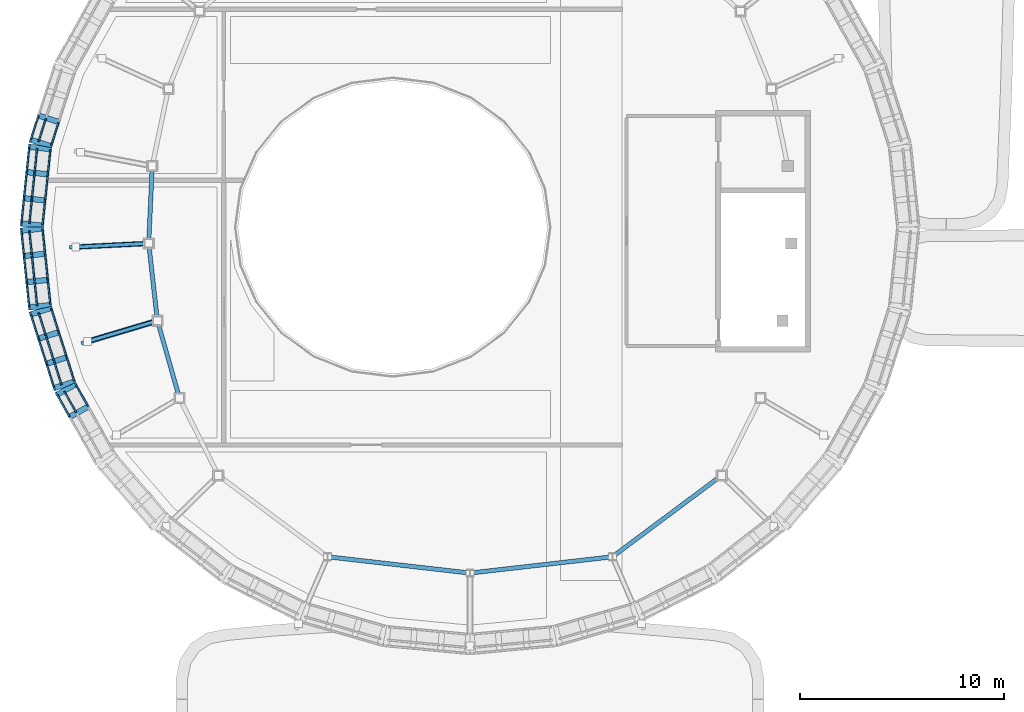
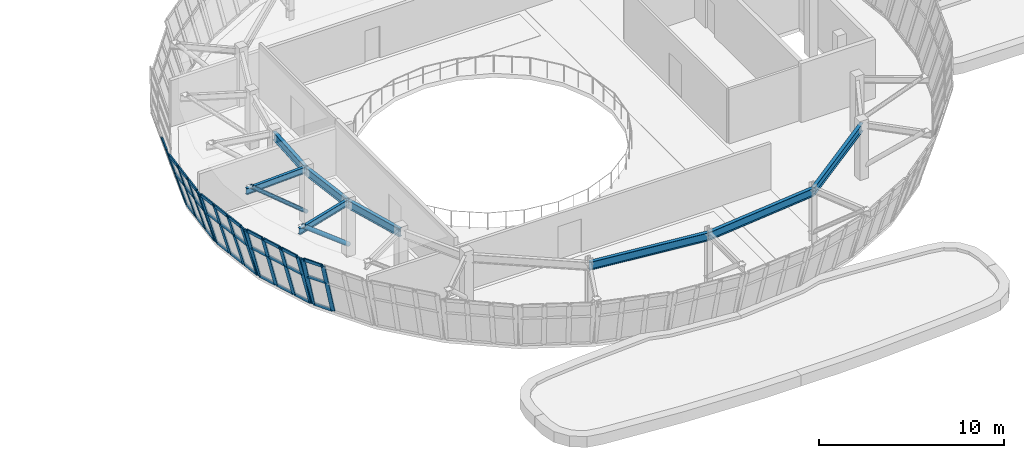
# One storey, part 20 of 111: 51 members, 8 beams, 5 elements without a shape of their own.
"""IFC4 building model written with IfcOpenShell, lengths in metres."""

from ifc_helpers import new_model, si_unit, direction, frame, origin, origin_2d, place, context, subcontext, project, spatial, rectangle, hollow_circle, i_section, extrude, material, material_profile, profile_set, type_object, element, aggregate, save


model = new_model("IFC4")

# Units and contexts
model_context = context("Model", 3, precision=1e-05, world=origin(), true_north=direction((0.0, 1.0)))
body_context = subcontext(model_context, "Body", "Model", "MODEL_VIEW")
ifc_project = project(units=[si_unit("LENGTHUNIT", "METRE"), si_unit("AREAUNIT", "SQUARE_METRE"), si_unit("VOLUMEUNIT", "CUBIC_METRE"), si_unit("PLANEANGLEUNIT", "RADIAN"), si_unit("MASSUNIT", "GRAM", prefix="KILO")], contexts=[model_context])

# Site, building, storey
site_placement = place(None, origin())
site = spatial("IfcSite", under=ifc_project, at=site_placement, CompositionType="ELEMENT")
building_placement = place(site_placement, origin())
building = spatial("IfcBuilding", under=site, at=building_placement, Name="Corveleigh Park Community Centre", CompositionType="ELEMENT")
storey_placement = place(building_placement, frame((0.0, 0.0, 4.800048828125)))
storey = spatial("IfcBuildingStorey", under=building, at=storey_placement, Name="L01", CompositionType="ELEMENT", Elevation=4.800048828125)

# Beams
ifc_material_1 = material(Name="Steel S355", Category="steel")
ifc_material_profile_1 = material_profile(ifc_material_1, i_section(OverallWidth=0.1787109375, OverallDepth=0.409423828125, WebThickness=0.0087890625, FlangeThickness=0.014404296875, at=origin_2d()), Name="UKB 406x178x67", Category="steel")
ifc_profile_set_1 = profile_set([ifc_material_profile_1], Name="Steel S355")
beam_type_1 = type_object("IfcBeamType", Name="BM-STL-UKB406x67", PredefinedType="BEAM", material=ifc_profile_set_1)
for number, where, z_axis, x_axis, name in (
    (1, (15.202880859375, 26.799560546875, 3.482177734375), (-0.998735377048, -0.050275706198, 0.0), (0.050275706198, -0.998735377048, 0.0), "V1 Drum Overhang Radial Outrigger 17"),
    (2, (15.63134765625, 22.9970703125, 3.482177734375), (-0.958258802998, -0.285902197397, 0.0), (0.285902197397, -0.958258802998, 0.0), "V1 Drum Overhang Radial Outrigger 18"),
):
    element("IfcBeam", number, at=place(storey_placement, frame(where, z_axis=z_axis, x_axis=x_axis)), inside=storey, type_object=beam_type_1, Name=name, PredefinedType="BEAM", context=body_context, shape_type="SweptSolid", body=[
        extrude(i_section(OverallWidth=0.1787109375, OverallDepth=0.409423828125, WebThickness=0.0087890625, FlangeThickness=0.014404296875, at=origin_2d()), origin(), (0.0, 0.0, 1.0), 3.8896484375),
    ])
ifc_material_profile_2 = material_profile(ifc_material_1, i_section(OverallWidth=0.210693359375, OverallDepth=0.53955078125, WebThickness=0.01171875, FlangeThickness=0.018798828125, at=origin_2d()), Name="UKB 533x210x109", Category="steel")
ifc_profile_set_2 = profile_set([ifc_material_profile_2], Name="Steel S355")
beam_type_2 = type_object("IfcBeamType", Name="BM-STL-UKB533x109", PredefinedType="BEAM", material=ifc_profile_set_2)
for number, where, z_axis, x_axis, name in (
    (3, (24.0048828125, 11.3994140625, 3.34228515625), (0.993533567391, -0.113538761962, 0.0), (0.113538761962, 0.993533567391, 0.0), "V1 Drum Ring Girder"),
    (4, (31.0048828125, 10.6005859375, 3.34228515625), (0.993533567391, 0.113538761962, 0.0), (-0.113538761962, 0.993533567391, 0.0), "V1 Drum Ring Girder"),
):
    element("IfcBeam", number, at=place(storey_placement, frame(where, z_axis=z_axis, x_axis=x_axis)), inside=storey, type_object=beam_type_2, Name=name, PredefinedType="BEAM", context=body_context, shape_type="SweptSolid", body=[
        extrude(i_section(OverallWidth=0.210693359375, OverallDepth=0.53955078125, WebThickness=0.01171875, FlangeThickness=0.018798828125, at=origin_2d()), origin(), (0.0, 0.0, 1.0), 7.03564453125),
    ])
beam_1_placement = place(storey_placement, frame((38.00390625, 11.403076171875, 3.34228515625), z_axis=(0.801771961873, 0.597630087223, 0.0), x_axis=(-0.597630087223, 0.801771961873, 0.0)))
element("IfcBeam", 5, at=beam_1_placement, inside=storey, type_object=beam_type_2, Name="V1 Drum Ring Girder", PredefinedType="BEAM", context=body_context, shape_type="SweptSolid", body=[
    extrude(i_section(OverallWidth=0.210693359375, OverallDepth=0.53955078125, WebThickness=0.01171875, FlangeThickness=0.018798828125, at=origin_2d()), origin(), (0.0, 0.0, 1.0), 6.682861328125),
])
beam_2_placement = place(storey_placement, frame((15.3857421875, 30.594970703125, 3.34228515625), z_axis=(-0.045495229392, -0.998964555979, 0.0), x_axis=(0.998964555979, -0.045495229392, 0.0)))
element("IfcBeam", 6, at=beam_2_placement, inside=storey, type_object=beam_type_2, Name="V1 Drum Ring Girder", PredefinedType="BEAM", context=body_context, shape_type="SweptSolid", body=[
    extrude(i_section(OverallWidth=0.210693359375, OverallDepth=0.53955078125, WebThickness=0.01171875, FlangeThickness=0.018798828125, at=origin_2d()), origin(), (0.0, 0.0, 1.0), 3.7939453125),
])
beam_3_placement = place(storey_placement, frame((15.213623046875, 26.794921875, 3.34228515625), z_axis=(0.111892750886, -0.993720288763, 0.0), x_axis=(0.993720288763, 0.111892750886, 0.0)))
element("IfcBeam", 7, at=beam_3_placement, inside=storey, type_object=beam_type_2, Name="V1 Drum Ring Girder", PredefinedType="BEAM", context=body_context, shape_type="SweptSolid", body=[
    extrude(i_section(OverallWidth=0.210693359375, OverallDepth=0.53955078125, WebThickness=0.01171875, FlangeThickness=0.018798828125, at=origin_2d()), origin(), (0.0, 0.0, 1.0), 3.81396484375),
])
beam_4_placement = place(storey_placement, frame((15.642333984375, 22.9951171875, 3.34228515625), z_axis=(0.274336604371, -0.961633728351, 0.0), x_axis=(0.961633728351, 0.274336604371, 0.0)))
element("IfcBeam", 8, at=beam_4_placement, inside=storey, type_object=beam_type_2, Name="V1 Drum Ring Girder", PredefinedType="BEAM", context=body_context, shape_type="SweptSolid", body=[
    extrude(i_section(OverallWidth=0.210693359375, OverallDepth=0.53955078125, WebThickness=0.01171875, FlangeThickness=0.018798828125, at=origin_2d()), origin(), (0.0, 0.0, 1.0), 3.94140625),
])

# Curtain wall, members
ifc_material_2 = material(Name="Anodised aluminium 6063-T6", Category="aluminium")
curtain_wall_type = type_object("IfcCurtainWallType", Name="CW-SYS-V1-DRUM", PredefinedType="NOTDEFINED", material=ifc_material_2)
curtain_wall_1_placement = place(storey_placement, origin())
curtain_wall_1 = element("IfcCurtainWall", 9, at=curtain_wall_1_placement, inside=storey, type_object=curtain_wall_type, Name="Main Hall Flared Drum CW 176", PredefinedType="NOTDEFINED")
ifc_material_profile_3 = material_profile(ifc_material_2, rectangle(XDim=0.0849609375, YDim=0.27490234375, at=origin_2d()), Name="ALU-M85x275", Category="aluminium")
ifc_profile_set_3 = profile_set([ifc_material_profile_3], Name="Anodised aluminium 6063-T6")
member_type_1 = type_object("IfcMemberType", Name="CWM-85x275", PredefinedType="MULLION", material=ifc_profile_set_3)
member_1_placement = place(storey_placement, frame((10.804931640625, 32.76171875, 0.0), z_axis=(-0.270633081512, 0.086193007282, 0.958816197551), x_axis=(0.913600188234, -0.290969408609, 0.284027286212)))
member_1 = element("IfcMember", 10, at=member_1_placement, type_object=member_type_1, Name="CW02 mullion 3", PredefinedType="MULLION", context=body_context, shape_type="SweptSolid", body=[
    extrude(rectangle(XDim=0.0849609375, YDim=0.27490234375, at=origin_2d()), origin(), (0.0, 0.0, 1.0), 3.76708984375),
])
member_2_placement = place(storey_placement, frame((10.4248046875, 31.568603515625, 0.0), z_axis=(-0.270633081512, 0.086193007282, 0.958816197551), x_axis=(0.913600188234, -0.290969408609, 0.284027286212)))
member_2 = element("IfcMember", 11, at=member_2_placement, type_object=member_type_1, Name="CW02 mullion 4", PredefinedType="MULLION", context=body_context, shape_type="SweptSolid", body=[
    extrude(rectangle(XDim=0.0849609375, YDim=0.27490234375, at=origin_2d()), origin(), (0.0, 0.0, 1.0), 3.76708984375),
])

curtain_wall_2_placement = place(storey_placement, origin())
curtain_wall_2 = element("IfcCurtainWall", 12, at=curtain_wall_2_placement, inside=storey, type_object=curtain_wall_type, Name="Main Hall Flared Drum CW 177", PredefinedType="NOTDEFINED")
member_3_placement = place(storey_placement, frame((10.396728515625, 31.4326171875, 0.0), z_axis=(-0.282554486716, 0.029227539796, 0.958805878661), x_axis=(0.953717111379, -0.098652847989, 0.284062118287)))
member_3 = element("IfcMember", 13, at=member_3_placement, type_object=member_type_1, Name="CW02 mullion 1", PredefinedType="MULLION", context=body_context, shape_type="SweptSolid", body=[
    extrude(rectangle(XDim=0.0849609375, YDim=0.27490234375, at=origin_2d()), origin(), (0.0, 0.0, 1.0), 3.767333984375),
])
member_4_placement = place(storey_placement, frame((10.268310546875, 30.1923828125, 0.0), z_axis=(-0.282494852928, 0.029228074942, 0.958823434061), x_axis=(0.953732257029, -0.098677047011, 0.28400285614)))
member_4 = element("IfcMember", 14, at=member_4_placement, type_object=member_type_1, Name="CW02 mullion 2", PredefinedType="MULLION", context=body_context, shape_type="SweptSolid", body=[
    extrude(rectangle(XDim=0.0849609375, YDim=0.27490234375, at=origin_2d()), origin(), (0.0, 0.0, 1.0), 3.76708984375),
])
member_5_placement = place(storey_placement, frame((10.1357421875, 28.90966796875, 0.0), z_axis=(-0.282554486716, 0.029227539796, 0.958805878661), x_axis=(0.953717111379, -0.098652847989, 0.284062118287)))
member_5 = element("IfcMember", 15, at=member_5_placement, type_object=member_type_1, Name="CW02 mullion 3", PredefinedType="MULLION", context=body_context, shape_type="SweptSolid", body=[
    extrude(rectangle(XDim=0.0849609375, YDim=0.27490234375, at=origin_2d()), origin(), (0.0, 0.0, 1.0), 3.767333984375),
])
member_6_placement = place(storey_placement, frame((10.00732421875, 27.669189453125, 0.0), z_axis=(-0.282494852928, 0.029228074942, 0.958823434061), x_axis=(0.953732257029, -0.098677047011, 0.28400285614)))
member_6 = element("IfcMember", 16, at=member_6_placement, type_object=member_type_1, Name="CW02 mullion 4", PredefinedType="MULLION", context=body_context, shape_type="SweptSolid", body=[
    extrude(rectangle(XDim=0.0849609375, YDim=0.27490234375, at=origin_2d()), origin(), (0.0, 0.0, 1.0), 3.76708984375),
])

curtain_wall_3_placement = place(storey_placement, origin())
curtain_wall_3 = element("IfcCurtainWall", 17, at=curtain_wall_3_placement, inside=storey, type_object=curtain_wall_type, Name="Main Hall Flared Drum CW 178", PredefinedType="NOTDEFINED")
member_7_placement = place(storey_placement, frame((10.00732421875, 27.53076171875, 0.0), z_axis=(-0.282494852928, -0.029228074942, 0.958823434061), x_axis=(0.953732257029, 0.098677047011, 0.28400285614)))
member_7 = element("IfcMember", 18, at=member_7_placement, type_object=member_type_1, Name="CW02 mullion 1", PredefinedType="MULLION", context=body_context, shape_type="SweptSolid", body=[
    extrude(rectangle(XDim=0.0849609375, YDim=0.27490234375, at=origin_2d()), origin(), (0.0, 0.0, 1.0), 3.76708984375),
])
member_8_placement = place(storey_placement, frame((10.1357421875, 26.290283203125, 0.0), z_axis=(-0.282554486716, -0.029227539796, 0.958805878661), x_axis=(0.953717111379, 0.098652847989, 0.284062118287)))
member_8 = element("IfcMember", 19, at=member_8_placement, type_object=member_type_1, Name="CW02 mullion 2", PredefinedType="MULLION", context=body_context, shape_type="SweptSolid", body=[
    extrude(rectangle(XDim=0.0849609375, YDim=0.27490234375, at=origin_2d()), origin(), (0.0, 0.0, 1.0), 3.767333984375),
])
member_9_placement = place(storey_placement, frame((10.268310546875, 25.007568359375, 0.0), z_axis=(-0.282495387436, -0.02916332286, 0.958825248248), x_axis=(0.953756435359, 0.09846074694, 0.283996731183)))
member_9 = element("IfcMember", 20, at=member_9_placement, type_object=member_type_1, Name="CW02 mullion 3", PredefinedType="MULLION", context=body_context, shape_type="SweptSolid", body=[
    extrude(rectangle(XDim=0.0849609375, YDim=0.27490234375, at=origin_2d()), origin(), (0.0, 0.0, 1.0), 3.76708984375),
])
member_10_placement = place(storey_placement, frame((10.396728515625, 23.767333984375, 0.0), z_axis=(-0.282554486716, -0.029227539796, 0.958805878661), x_axis=(0.953717111379, 0.098652847989, 0.284062118287)))
member_10 = element("IfcMember", 21, at=member_10_placement, type_object=member_type_1, Name="CW02 mullion 4", PredefinedType="MULLION", context=body_context, shape_type="SweptSolid", body=[
    extrude(rectangle(XDim=0.0849609375, YDim=0.27490234375, at=origin_2d()), origin(), (0.0, 0.0, 1.0), 3.767333984375),
])

curtain_wall_4_placement = place(storey_placement, origin())
curtain_wall_4 = element("IfcCurtainWall", 22, at=curtain_wall_4_placement, inside=storey, type_object=curtain_wall_type, Name="Main Hall Flared Drum CW 179", PredefinedType="NOTDEFINED")
member_11_placement = place(storey_placement, frame((10.4248046875, 23.631591796875, 0.0), z_axis=(-0.27063156923, -0.086257332051, 0.95881083974), x_axis=(0.913531806337, 0.291166387508, 0.284045372426)))
member_11 = element("IfcMember", 23, at=member_11_placement, type_object=member_type_1, Name="CW02 mullion 1", PredefinedType="MULLION", context=body_context, shape_type="SweptSolid", body=[
    extrude(rectangle(XDim=0.0849609375, YDim=0.27490234375, at=origin_2d()), origin(), (0.0, 0.0, 1.0), 3.767333984375),
])
member_12_placement = place(storey_placement, frame((10.804931640625, 22.438232421875, 0.0), z_axis=(-0.270633081512, -0.086193007282, 0.958816197551), x_axis=(0.913600188234, 0.290969408609, 0.284027286212)))
member_12 = element("IfcMember", 24, at=member_12_placement, type_object=member_type_1, Name="CW02 mullion 2", PredefinedType="MULLION", context=body_context, shape_type="SweptSolid", body=[
    extrude(rectangle(XDim=0.0849609375, YDim=0.27490234375, at=origin_2d()), origin(), (0.0, 0.0, 1.0), 3.76708984375),
])
member_13_placement = place(storey_placement, frame((11.197998046875, 21.20458984375, 0.0), z_axis=(-0.270633081512, -0.086193007282, 0.958816197551), x_axis=(0.913600188234, 0.290969408609, 0.284027286212)))
member_13 = element("IfcMember", 25, at=member_13_placement, type_object=member_type_1, Name="CW02 mullion 3", PredefinedType="MULLION", context=body_context, shape_type="SweptSolid", body=[
    extrude(rectangle(XDim=0.0849609375, YDim=0.27490234375, at=origin_2d()), origin(), (0.0, 0.0, 1.0), 3.76708984375),
])
member_14_placement = place(storey_placement, frame((11.578125, 20.011474609375, 0.0), z_axis=(-0.270633081512, -0.086193007282, 0.958816197551), x_axis=(0.913600188234, 0.290969408609, 0.284027286212)))
member_14 = element("IfcMember", 26, at=member_14_placement, type_object=member_type_1, Name="CW02 mullion 4", PredefinedType="MULLION", context=body_context, shape_type="SweptSolid", body=[
    extrude(rectangle(XDim=0.0849609375, YDim=0.27490234375, at=origin_2d()), origin(), (0.0, 0.0, 1.0), 3.76708984375),
])

curtain_wall_5_placement = place(storey_placement, origin())
curtain_wall_5 = element("IfcCurtainWall", 27, at=curtain_wall_5_placement, inside=storey, type_object=curtain_wall_type, Name="Main Hall Flared Drum CW 180", PredefinedType="NOTDEFINED")
member_15_placement = place(storey_placement, frame((11.6328125, 19.885986328125, 0.0), z_axis=(-0.247691050808, -0.139010283617, 0.958814520331), x_axis=(0.836134602223, 0.469259215534, 0.284032948092)))
member_15 = element("IfcMember", 28, at=member_15_placement, type_object=member_type_1, Name="CW02 mullion 1", PredefinedType="MULLION", context=body_context, shape_type="SweptSolid", body=[
    extrude(rectangle(XDim=0.0849609375, YDim=0.27490234375, at=origin_2d()), origin(), (0.0, 0.0, 1.0), 3.767333984375),
])
member_16_placement = place(storey_placement, frame((12.25, 18.785888671875, 0.0), z_axis=(-0.247693281715, -0.138946728414, 0.958823156195), x_axis=(0.836235497404, 0.469097045116, 0.284003794242)))
member_16 = element("IfcMember", 29, at=member_16_placement, type_object=member_type_1, Name="CW02 mullion 2", PredefinedType="MULLION", context=body_context, shape_type="SweptSolid", body=[
    extrude(rectangle(XDim=0.0849609375, YDim=0.27490234375, at=origin_2d()), origin(), (0.0, 0.0, 1.0), 3.76708984375),
])

# Member
ifc_material_profile_4 = material_profile(ifc_material_2, rectangle(XDim=0.080078125, YDim=0.195068359375, at=origin_2d()), Name="ALU-T80x195", Category="aluminium")
ifc_profile_set_4 = profile_set([ifc_material_profile_4], Name="Anodised aluminium 6063-T6")
member_type_2 = type_object("IfcMemberType", Name="CWT-80x195", PredefinedType="USERDEFINED", material=ifc_profile_set_4)
member_17_placement = place(storey_placement, frame((10.78076171875, 32.724853515625, 0.0400390625), z_axis=(-0.303462619097, -0.952843344318, 0.0), x_axis=(0.952843344318, -0.303462619097, 0.0)))
member_17 = element("IfcMember", 30, at=member_17_placement, type_object=member_type_2, Name="CW02 transom 3.1", ObjectType="TRANSOM", PredefinedType="USERDEFINED", context=body_context, shape_type="SweptSolid", body=[
    extrude(rectangle(XDim=0.080078125, YDim=0.195068359375, at=origin_2d()), origin(), (0.0, 0.0, 1.0), 1.167236328125),
])

member_18_placement = place(storey_placement, frame((10.156982421875, 32.923583984375, 2.25), z_axis=(-0.303462619097, -0.952843344318, 0.0), x_axis=(0.952843344318, -0.303462619097, 0.0)))
member_18 = element("IfcMember", 31, at=member_18_placement, type_object=member_type_2, Name="CW02 transom 3.2", ObjectType="TRANSOM", PredefinedType="USERDEFINED", context=body_context, shape_type="SweptSolid", body=[
    extrude(rectangle(XDim=0.080078125, YDim=0.195068359375, at=origin_2d()), origin(), (0.0, 0.0, 1.0), 1.167236328125),
])

member_19_placement = place(storey_placement, frame((9.783935546875, 33.042236328125, 3.572021484375), z_axis=(-0.303523103954, -0.952824078918, 0.0), x_axis=(0.952824078918, -0.303523103954, 0.0)))
member_19 = element("IfcMember", 32, at=member_19_placement, type_object=member_type_2, Name="CW02 transom 3.3", ObjectType="TRANSOM", PredefinedType="USERDEFINED", context=body_context, shape_type="SweptSolid", body=[
    extrude(rectangle(XDim=0.080078125, YDim=0.195068359375, at=origin_2d()), origin(), (0.0, 0.0, 1.0), 1.167236328125),
])

aggregate(curtain_wall_1, [member_1, member_2, member_17, member_18, member_19])

member_20_placement = place(storey_placement, frame((10.38037109375, 31.3916015625, 0.0400390625), z_axis=(-0.102748605217, -0.994707356023, 0.0), x_axis=(0.994707356023, -0.102748605217, 0.0)))
member_20 = element("IfcMember", 33, at=member_20_placement, type_object=member_type_2, Name="CW02 transom 1.1", ObjectType="TRANSOM", PredefinedType="USERDEFINED", context=body_context, shape_type="SweptSolid", body=[
    extrude(rectangle(XDim=0.080078125, YDim=0.195068359375, at=origin_2d()), origin(), (0.0, 0.0, 1.0), 1.161865234375),
])

member_21_placement = place(storey_placement, frame((9.729248046875, 31.458984375, 2.25), z_axis=(-0.102956500033, -0.994685859506, 0.0), x_axis=(0.994685859506, -0.102956500033, 0.0)))
member_21 = element("IfcMember", 34, at=member_21_placement, type_object=member_type_2, Name="CW02 transom 1.2", ObjectType="TRANSOM", PredefinedType="USERDEFINED", context=body_context, shape_type="SweptSolid", body=[
    extrude(rectangle(XDim=0.080078125, YDim=0.195068359375, at=origin_2d()), origin(), (0.0, 0.0, 1.0), 1.161865234375),
])

member_22_placement = place(storey_placement, frame((9.339599609375, 31.499267578125, 3.572021484375), z_axis=(-0.102748605217, -0.994707356023, 0.0), x_axis=(0.994707356023, -0.102748605217, 0.0)))
member_22 = element("IfcMember", 35, at=member_22_placement, type_object=member_type_2, Name="CW02 transom 1.3", ObjectType="TRANSOM", PredefinedType="USERDEFINED", context=body_context, shape_type="SweptSolid", body=[
    extrude(rectangle(XDim=0.080078125, YDim=0.195068359375, at=origin_2d()), origin(), (0.0, 0.0, 1.0), 1.161865234375),
])

member_23_placement = place(storey_placement, frame((10.252197265625, 30.1513671875, 0.0400390625), z_axis=(-0.102954466897, -0.994686069947, 0.0), x_axis=(0.994686069947, -0.102954466897, 0.0)))
member_23 = element("IfcMember", 36, at=member_23_placement, type_object=member_type_2, Name="CW02 transom 2.1", ObjectType="TRANSOM", PredefinedType="USERDEFINED", context=body_context, shape_type="SweptSolid", body=[
    extrude(rectangle(XDim=0.080078125, YDim=0.195068359375, at=origin_2d()), origin(), (0.0, 0.0, 1.0), 1.20458984375),
])

member_24_placement = place(storey_placement, frame((9.60107421875, 30.21875, 2.25), z_axis=(-0.102954466897, -0.994686069947, 0.0), x_axis=(0.994686069947, -0.102954466897, 0.0)))
member_24 = element("IfcMember", 37, at=member_24_placement, type_object=member_type_2, Name="CW02 transom 2.2", ObjectType="TRANSOM", PredefinedType="USERDEFINED", context=body_context, shape_type="SweptSolid", body=[
    extrude(rectangle(XDim=0.080078125, YDim=0.195068359375, at=origin_2d()), origin(), (0.0, 0.0, 1.0), 1.20458984375),
])

member_25_placement = place(storey_placement, frame((9.21142578125, 30.259033203125, 3.572021484375), z_axis=(-0.102954466897, -0.994686069947, 0.0), x_axis=(0.994686069947, -0.102954466897, 0.0)))
member_25 = element("IfcMember", 38, at=member_25_placement, type_object=member_type_2, Name="CW02 transom 2.3", ObjectType="TRANSOM", PredefinedType="USERDEFINED", context=body_context, shape_type="SweptSolid", body=[
    extrude(rectangle(XDim=0.080078125, YDim=0.195068359375, at=origin_2d()), origin(), (0.0, 0.0, 1.0), 1.20458984375),
])

member_26_placement = place(storey_placement, frame((10.11962890625, 28.86865234375, 0.0400390625), z_axis=(-0.102934986728, -0.994688086039, 0.0), x_axis=(0.994688086039, -0.102934986728, 0.0)))
member_26 = element("IfcMember", 39, at=member_26_placement, type_object=member_type_2, Name="CW02 transom 3.1", ObjectType="TRANSOM", PredefinedType="USERDEFINED", context=body_context, shape_type="SweptSolid", body=[
    extrude(rectangle(XDim=0.080078125, YDim=0.195068359375, at=origin_2d()), origin(), (0.0, 0.0, 1.0), 1.162109375),
])

member_27_placement = place(storey_placement, frame((9.46826171875, 28.93603515625, 2.25), z_axis=(-0.102934986728, -0.994688086039, 0.0), x_axis=(0.994688086039, -0.102934986728, 0.0)))
member_27 = element("IfcMember", 40, at=member_27_placement, type_object=member_type_2, Name="CW02 transom 3.2", ObjectType="TRANSOM", PredefinedType="USERDEFINED", context=body_context, shape_type="SweptSolid", body=[
    extrude(rectangle(XDim=0.080078125, YDim=0.195068359375, at=origin_2d()), origin(), (0.0, 0.0, 1.0), 1.162109375),
])

member_28_placement = place(storey_placement, frame((9.078857421875, 28.976318359375, 3.572021484375), z_axis=(-0.102934986728, -0.994688086039, 0.0), x_axis=(0.994688086039, -0.102934986728, 0.0)))
member_28 = element("IfcMember", 41, at=member_28_placement, type_object=member_type_2, Name="CW02 transom 3.3", ObjectType="TRANSOM", PredefinedType="USERDEFINED", context=body_context, shape_type="SweptSolid", body=[
    extrude(rectangle(XDim=0.080078125, YDim=0.195068359375, at=origin_2d()), origin(), (0.0, 0.0, 1.0), 1.162109375),
])

aggregate(curtain_wall_2, [member_3, member_4, member_5, member_6, member_20, member_21, member_22, member_23, member_24, member_25, member_26, member_27, member_28])

member_29_placement = place(storey_placement, frame((10.0, 27.4873046875, 0.0400390625), z_axis=(0.102934986728, -0.994688086039, 0.0), x_axis=(0.994688086039, 0.102934986728, 0.0)))
member_29 = element("IfcMember", 42, at=member_29_placement, type_object=member_type_2, Name="CW02 transom 1.1", ObjectType="TRANSOM", PredefinedType="USERDEFINED", context=body_context, shape_type="SweptSolid", body=[
    extrude(rectangle(XDim=0.080078125, YDim=0.195068359375, at=origin_2d()), origin(), (0.0, 0.0, 1.0), 1.162109375),
])

member_30_placement = place(storey_placement, frame((9.3486328125, 27.419921875, 2.25), z_axis=(0.102934986728, -0.994688086039, 0.0), x_axis=(0.994688086039, 0.102934986728, 0.0)))
member_30 = element("IfcMember", 43, at=member_30_placement, type_object=member_type_2, Name="CW02 transom 1.2", ObjectType="TRANSOM", PredefinedType="USERDEFINED", context=body_context, shape_type="SweptSolid", body=[
    extrude(rectangle(XDim=0.080078125, YDim=0.195068359375, at=origin_2d()), origin(), (0.0, 0.0, 1.0), 1.162109375),
])

member_31_placement = place(storey_placement, frame((8.959228515625, 27.379638671875, 3.572021484375), z_axis=(0.102934986728, -0.994688086039, 0.0), x_axis=(0.994688086039, 0.102934986728, 0.0)))
member_31 = element("IfcMember", 44, at=member_31_placement, type_object=member_type_2, Name="CW02 transom 1.3", ObjectType="TRANSOM", PredefinedType="USERDEFINED", context=body_context, shape_type="SweptSolid", body=[
    extrude(rectangle(XDim=0.080078125, YDim=0.195068359375, at=origin_2d()), origin(), (0.0, 0.0, 1.0), 1.162109375),
])

member_32_placement = place(storey_placement, frame((10.128173828125, 26.246826171875, 0.0400390625), z_axis=(0.102975225581, -0.994683921111, 0.0), x_axis=(0.994683921111, 0.102975225581, 0.0)))
member_32 = element("IfcMember", 45, at=member_32_placement, type_object=member_type_2, Name="CW02 transom 2.1", ObjectType="TRANSOM", PredefinedType="USERDEFINED", context=body_context, shape_type="SweptSolid", body=[
    extrude(rectangle(XDim=0.080078125, YDim=0.195068359375, at=origin_2d()), origin(), (0.0, 0.0, 1.0), 1.204345703125),
])

member_33_placement = place(storey_placement, frame((9.47705078125, 26.179443359375, 2.25), z_axis=(0.102975225581, -0.994683921111, 0.0), x_axis=(0.994683921111, 0.102975225581, 0.0)))
member_33 = element("IfcMember", 46, at=member_33_placement, type_object=member_type_2, Name="CW02 transom 2.2", ObjectType="TRANSOM", PredefinedType="USERDEFINED", context=body_context, shape_type="SweptSolid", body=[
    extrude(rectangle(XDim=0.080078125, YDim=0.195068359375, at=origin_2d()), origin(), (0.0, 0.0, 1.0), 1.204345703125),
])

member_34_placement = place(storey_placement, frame((9.08740234375, 26.13916015625, 3.572021484375), z_axis=(0.102975225581, -0.994683921111, 0.0), x_axis=(0.994683921111, 0.102975225581, 0.0)))
member_34 = element("IfcMember", 47, at=member_34_placement, type_object=member_type_2, Name="CW02 transom 2.3", ObjectType="TRANSOM", PredefinedType="USERDEFINED", context=body_context, shape_type="SweptSolid", body=[
    extrude(rectangle(XDim=0.080078125, YDim=0.195068359375, at=origin_2d()), origin(), (0.0, 0.0, 1.0), 1.204345703125),
])

member_35_placement = place(storey_placement, frame((10.260986328125, 24.964111328125, 0.0400390625), z_axis=(0.102748605217, -0.994707356023, 0.0), x_axis=(0.994707356023, 0.102748605217, 0.0)))
member_35 = element("IfcMember", 48, at=member_35_placement, type_object=member_type_2, Name="CW02 transom 3.1", ObjectType="TRANSOM", PredefinedType="USERDEFINED", context=body_context, shape_type="SweptSolid", body=[
    extrude(rectangle(XDim=0.080078125, YDim=0.195068359375, at=origin_2d()), origin(), (0.0, 0.0, 1.0), 1.161865234375),
])

member_36_placement = place(storey_placement, frame((9.609619140625, 24.896728515625, 2.25), z_axis=(0.102956500033, -0.994685859506, 0.0), x_axis=(0.994685859506, 0.102956500033, 0.0)))
member_36 = element("IfcMember", 49, at=member_36_placement, type_object=member_type_2, Name="CW02 transom 3.2", ObjectType="TRANSOM", PredefinedType="USERDEFINED", context=body_context, shape_type="SweptSolid", body=[
    extrude(rectangle(XDim=0.080078125, YDim=0.195068359375, at=origin_2d()), origin(), (0.0, 0.0, 1.0), 1.161865234375),
])

member_37_placement = place(storey_placement, frame((9.22021484375, 24.8564453125, 3.572021484375), z_axis=(0.102748605217, -0.994707356023, 0.0), x_axis=(0.994707356023, 0.102748605217, 0.0)))
member_37 = element("IfcMember", 50, at=member_37_placement, type_object=member_type_2, Name="CW02 transom 3.3", ObjectType="TRANSOM", PredefinedType="USERDEFINED", context=body_context, shape_type="SweptSolid", body=[
    extrude(rectangle(XDim=0.080078125, YDim=0.195068359375, at=origin_2d()), origin(), (0.0, 0.0, 1.0), 1.161865234375),
])

aggregate(curtain_wall_3, [member_7, member_8, member_9, member_10, member_29, member_30, member_31, member_32, member_33, member_34, member_35, member_36, member_37])

member_38_placement = place(storey_placement, frame((10.426513671875, 23.58740234375, 0.0400390625), z_axis=(0.303523103954, -0.952824078918, 0.0), x_axis=(0.952824078918, 0.303523103954, 0.0)))
member_38 = element("IfcMember", 51, at=member_38_placement, type_object=member_type_2, Name="CW02 transom 1.1", ObjectType="TRANSOM", PredefinedType="USERDEFINED", context=body_context, shape_type="SweptSolid", body=[
    extrude(rectangle(XDim=0.080078125, YDim=0.195068359375, at=origin_2d()), origin(), (0.0, 0.0, 1.0), 1.167236328125),
])

member_39_placement = place(storey_placement, frame((9.802734375, 23.388671875, 2.25), z_axis=(0.303523103954, -0.952824078918, 0.0), x_axis=(0.952824078918, 0.303523103954, 0.0)))
member_39 = element("IfcMember", 52, at=member_39_placement, type_object=member_type_2, Name="CW02 transom 1.2", ObjectType="TRANSOM", PredefinedType="USERDEFINED", context=body_context, shape_type="SweptSolid", body=[
    extrude(rectangle(XDim=0.080078125, YDim=0.195068359375, at=origin_2d()), origin(), (0.0, 0.0, 1.0), 1.167236328125),
])

member_40_placement = place(storey_placement, frame((9.4296875, 23.269775390625, 3.572021484375), z_axis=(0.303523103954, -0.952824078918, 0.0), x_axis=(0.952824078918, 0.303523103954, 0.0)))
member_40 = element("IfcMember", 53, at=member_40_placement, type_object=member_type_2, Name="CW02 transom 1.3", ObjectType="TRANSOM", PredefinedType="USERDEFINED", context=body_context, shape_type="SweptSolid", body=[
    extrude(rectangle(XDim=0.080078125, YDim=0.195068359375, at=origin_2d()), origin(), (0.0, 0.0, 1.0), 1.167236328125),
])

member_41_placement = place(storey_placement, frame((10.806640625, 22.394287109375, 0.0400390625), z_axis=(0.303486826379, -0.952835634417, 0.0), x_axis=(0.952835634417, 0.303486826379, 0.0)))
member_41 = element("IfcMember", 54, at=member_41_placement, type_object=member_type_2, Name="CW02 transom 2.1", ObjectType="TRANSOM", PredefinedType="USERDEFINED", context=body_context, shape_type="SweptSolid", body=[
    extrude(rectangle(XDim=0.080078125, YDim=0.195068359375, at=origin_2d()), origin(), (0.0, 0.0, 1.0), 1.2099609375),
])

member_42_placement = place(storey_placement, frame((10.182861328125, 22.195556640625, 2.25), z_axis=(0.303545188238, -0.952817043665, 0.0), x_axis=(0.952817043665, 0.303545188238, 0.0)))
member_42 = element("IfcMember", 55, at=member_42_placement, type_object=member_type_2, Name="CW02 transom 2.2", ObjectType="TRANSOM", PredefinedType="USERDEFINED", context=body_context, shape_type="SweptSolid", body=[
    extrude(rectangle(XDim=0.080078125, YDim=0.195068359375, at=origin_2d()), origin(), (0.0, 0.0, 1.0), 1.209716796875),
])

member_43_placement = place(storey_placement, frame((9.8095703125, 22.07666015625, 3.572021484375), z_axis=(0.303545188238, -0.952817043665, 0.0), x_axis=(0.952817043665, 0.303545188238, 0.0)))
member_43 = element("IfcMember", 56, at=member_43_placement, type_object=member_type_2, Name="CW02 transom 2.3", ObjectType="TRANSOM", PredefinedType="USERDEFINED", context=body_context, shape_type="SweptSolid", body=[
    extrude(rectangle(XDim=0.080078125, YDim=0.195068359375, at=origin_2d()), origin(), (0.0, 0.0, 1.0), 1.209716796875),
])

member_44_placement = place(storey_placement, frame((11.19970703125, 21.16064453125, 0.0400390625), z_axis=(0.303462619097, -0.952843344318, 0.0), x_axis=(0.952843344318, 0.303462619097, 0.0)))
member_44 = element("IfcMember", 57, at=member_44_placement, type_object=member_type_2, Name="CW02 transom 3.1", ObjectType="TRANSOM", PredefinedType="USERDEFINED", context=body_context, shape_type="SweptSolid", body=[
    extrude(rectangle(XDim=0.080078125, YDim=0.195068359375, at=origin_2d()), origin(), (0.0, 0.0, 1.0), 1.167236328125),
])

member_45_placement = place(storey_placement, frame((10.575927734375, 20.9619140625, 2.25), z_axis=(0.303462619097, -0.952843344318, 0.0), x_axis=(0.952843344318, 0.303462619097, 0.0)))
member_45 = element("IfcMember", 58, at=member_45_placement, type_object=member_type_2, Name="CW02 transom 3.2", ObjectType="TRANSOM", PredefinedType="USERDEFINED", context=body_context, shape_type="SweptSolid", body=[
    extrude(rectangle(XDim=0.080078125, YDim=0.195068359375, at=origin_2d()), origin(), (0.0, 0.0, 1.0), 1.167236328125),
])

member_46_placement = place(storey_placement, frame((10.20263671875, 20.843017578125, 3.572021484375), z_axis=(0.303462619097, -0.952843344318, 0.0), x_axis=(0.952843344318, 0.303462619097, 0.0)))
member_46 = element("IfcMember", 59, at=member_46_placement, type_object=member_type_2, Name="CW02 transom 3.3", ObjectType="TRANSOM", PredefinedType="USERDEFINED", context=body_context, shape_type="SweptSolid", body=[
    extrude(rectangle(XDim=0.080078125, YDim=0.195068359375, at=origin_2d()), origin(), (0.0, 0.0, 1.0), 1.167236328125),
])

aggregate(curtain_wall_4, [member_11, member_12, member_13, member_14, member_38, member_39, member_40, member_41, member_42, member_43, member_44, member_45, member_46])

member_47_placement = place(storey_placement, frame((11.643310546875, 19.843017578125, 0.0400390625), z_axis=(0.489304892071, -0.872112792359, 0.0), x_axis=(0.872112792359, 0.489304892071, 0.0)))
member_47 = element("IfcMember", 60, at=member_47_placement, type_object=member_type_2, Name="CW02 transom 1.1", ObjectType="TRANSOM", PredefinedType="USERDEFINED", context=body_context, shape_type="SweptSolid", body=[
    extrude(rectangle(XDim=0.080078125, YDim=0.195068359375, at=origin_2d()), origin(), (0.0, 0.0, 1.0), 1.176025390625),
])

member_48_placement = place(storey_placement, frame((11.072265625, 19.522705078125, 2.25), z_axis=(0.489374177373, -0.872073915743, 0.0), x_axis=(0.872073915743, 0.489374177373, 0.0)))
member_48 = element("IfcMember", 61, at=member_48_placement, type_object=member_type_2, Name="CW02 transom 1.2", ObjectType="TRANSOM", PredefinedType="USERDEFINED", context=body_context, shape_type="SweptSolid", body=[
    extrude(rectangle(XDim=0.080078125, YDim=0.195068359375, at=origin_2d()), origin(), (0.0, 0.0, 1.0), 1.17626953125),
])

member_49_placement = place(storey_placement, frame((10.730712890625, 19.3310546875, 3.572021484375), z_axis=(0.489374177373, -0.872073915743, 0.0), x_axis=(0.872073915743, 0.489374177373, 0.0)))
member_49 = element("IfcMember", 62, at=member_49_placement, type_object=member_type_2, Name="CW02 transom 1.3", ObjectType="TRANSOM", PredefinedType="USERDEFINED", context=body_context, shape_type="SweptSolid", body=[
    extrude(rectangle(XDim=0.080078125, YDim=0.195068359375, at=origin_2d()), origin(), (0.0, 0.0, 1.0), 1.17626953125),
])

aggregate(curtain_wall_5, [member_15, member_16, member_47, member_48, member_49])

# Members
ifc_material_profile_5 = material_profile(ifc_material_1, hollow_circle(Radius=0.122314453125, WallThickness=0.012451171875, at=origin_2d()), Name="CHS 244.5x12.5", Category="steel")
ifc_profile_set_5 = profile_set([ifc_material_profile_5], Name="Steel S355")
member_type_3 = type_object("IfcMemberType", Name="MEM-STR-CHS245", PredefinedType="STRUT", material=ifc_profile_set_5)
member_50_placement = place(storey_placement, frame((15.212890625, 26.800048828125, 0.64990234375), z_axis=(-0.763009055073, -0.038316821586, 0.645251116279), x_axis=(0.050154841345, -0.998741453976, 0.0)))
element("IfcMember", 63, at=member_50_placement, inside=storey, type_object=member_type_3, Name="V1 Conical Overhang Raking Strut 17", PredefinedType="STRUT", context=body_context, shape_type="SweptSolid", body=[
    extrude(hollow_circle(Radius=0.122314453125, WallThickness=0.012451171875, at=origin_2d()), origin(), (0.0, 0.0, 1.0), 4.69580078125),
])
ifc_material_profile_6 = material_profile(ifc_material_1, hollow_circle(Radius=0.136474609375, WallThickness=0.012451171875, at=origin_2d()), Name="CHS 273.0x12.5", Category="steel")
ifc_profile_set_6 = profile_set([ifc_material_profile_6], Name="Steel S355")
member_type_4 = type_object("IfcMemberType", Name="MEM-STR-CHS273E", PredefinedType="STRUT", material=ifc_profile_set_6)
member_51_placement = place(storey_placement, frame((15.64111328125, 23.0, 0.64990234375), z_axis=(-0.732119913205, -0.218445492813, 0.645199193551), x_axis=(0.285918031559, -0.95825407864, 0.0)))
element("IfcMember", 64, at=member_51_placement, inside=storey, type_object=member_type_4, Name="V1 Conical Overhang Raking Strut 18", PredefinedType="STRUT", context=body_context, shape_type="SweptSolid", body=[
    extrude(hollow_circle(Radius=0.136474609375, WallThickness=0.012451171875, at=origin_2d()), origin(), (0.0, 0.0, 1.0), 4.6962890625),
])

save(model, "model.ifc")
